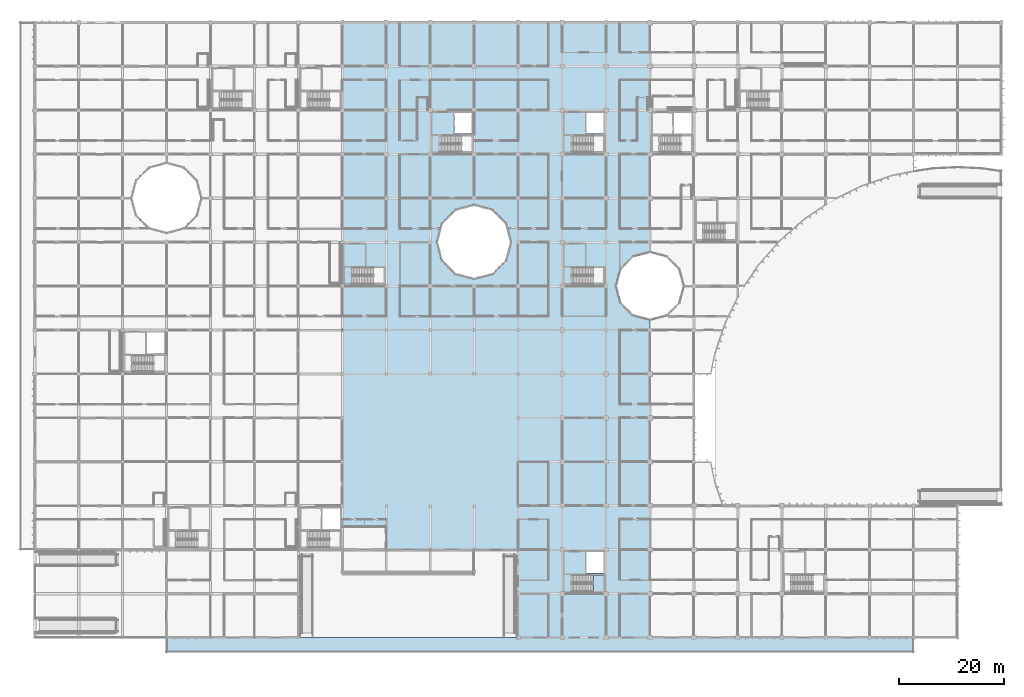
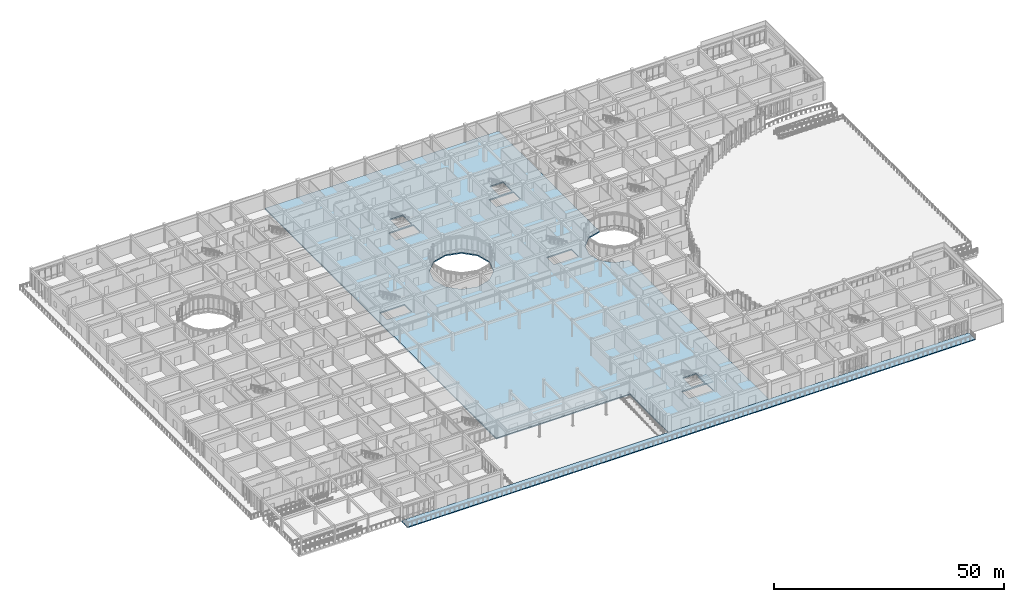
# One storey, part 67 of 138: 3 slabs, 1 element without a shape of its own.
"""IFC4 building model written with IfcOpenShell, lengths in metres."""

from ifc_helpers import new_model, si_unit, direction, frame, origin, place, context, subcontext, project, spatial, polyline, outline, extrude, material, layer, layer_set, type_object, element, aggregate, save


model = new_model("IFC4")

# Units and contexts
model_context = context("Model", 3, precision=1e-05, world=origin(), true_north=direction((0.0, 1.0)))
body_context = subcontext(model_context, "Body", "Model", "MODEL_VIEW")
ifc_project = project(units=[si_unit("LENGTHUNIT", "METRE"), si_unit("AREAUNIT", "SQUARE_METRE"), si_unit("VOLUMEUNIT", "CUBIC_METRE"), si_unit("PLANEANGLEUNIT", "RADIAN"), si_unit("MASSUNIT", "GRAM", prefix="KILO")], contexts=[model_context])

# Site, building, storey
site_placement = place(None, origin())
site = spatial("IfcSite", under=ifc_project, at=site_placement, CompositionType="ELEMENT")
building_placement = place(site_placement, origin())
building = spatial("IfcBuilding", under=site, at=building_placement, Name="Bramfleet General Hospital", CompositionType="ELEMENT")
storey_placement = place(building_placement, origin())
storey = spatial("IfcBuildingStorey", under=building, at=storey_placement, Name="L00", CompositionType="ELEMENT", Elevation=0.0)

# Slab
ifc_material = material(Name="Concrete C35/45", Category="concrete")
ifc_layer_1 = layer(ifc_material, 0.320068359375, Name="SL-FLR-320")
ifc_layer_set_1 = layer_set([ifc_layer_1], Name="Concrete C35/45")
slab_type_1 = type_object("IfcSlabType", Name="SL-FLR-320", PredefinedType="FLOOR", material=ifc_layer_set_1)
slab_1_placement = place(storey_placement, frame((0.0, 0.0, -0.320068359375)))
element("IfcSlab", 1, at=slab_1_placement, inside=storey, type_object=slab_type_1, Name="L00 Structural Floor Slab (CENTRE)", PredefinedType="FLOOR", context=body_context, shape_type="SweptSolid", body=[
    extrude(outline(polyline([(67.199951171875, 117.60009765625), (75.60009765625, 117.60009765625), (84.0, 117.60009765625), (92.39990234375, 117.60009765625), (100.800048828125, 117.60009765625), (109.199951171875, 117.60009765625), (117.60009765625, 117.60009765625), (117.60009765625, 73.60009765625), (114.39990234375, 72.74267578125), (112.057373046875, 70.39990234375), (111.199951171875, 67.199951171875), (112.057373046875, 64.0), (114.39990234375, 61.657470703125), (117.60009765625, 60.800048828125), (117.60009765625, 0.0), (109.199951171875, 0.0), (100.800048828125, 0.0), (92.39990234375, 0.0), (92.39990234375, 8.39990234375), (92.39990234375, 16.800048828125), (84.0, 16.800048828125), (75.60009765625, 16.800048828125), (67.199951171875, 16.800048828125), (58.800048828125, 16.800048828125), (58.800048828125, 117.60009765625), (67.199951171875, 117.60009765625)]), holes=[polyline([(77.937744140625, 72.10009765625), (80.5, 69.537841796875), (84.0, 68.60009765625), (87.5, 69.537841796875), (90.062255859375, 72.10009765625), (91.0, 75.60009765625), (90.062255859375, 79.10009765625), (87.5, 81.662109375), (84.0, 82.60009765625), (80.5, 81.662109375), (77.937744140625, 79.10009765625), (77.0, 75.60009765625), (77.937744140625, 72.10009765625)]), polyline([(102.639892578125, 8.820068359375), (108.860107421875, 8.820068359375), (108.860107421875, 11.97998046875), (102.639892578125, 11.97998046875), (102.639892578125, 8.820068359375)]), polyline([(105.419921875, 12.39990234375), (108.75, 12.39990234375), (108.75, 16.35009765625), (105.419921875, 16.35009765625), (105.419921875, 12.39990234375)]), polyline([(102.639892578125, 92.820068359375), (108.860107421875, 92.820068359375), (108.860107421875, 95.97998046875), (102.639892578125, 95.97998046875), (102.639892578125, 92.820068359375)]), polyline([(105.419921875, 96.39990234375), (108.75, 96.39990234375), (108.75, 100.35009765625), (105.419921875, 100.35009765625), (105.419921875, 96.39990234375)]), polyline([(77.43994140625, 92.820068359375), (83.659912109375, 92.820068359375), (83.659912109375, 95.97998046875), (77.43994140625, 95.97998046875), (77.43994140625, 92.820068359375)]), polyline([(80.219970703125, 96.39990234375), (83.550048828125, 96.39990234375), (83.550048828125, 100.35009765625), (80.219970703125, 100.35009765625), (80.219970703125, 96.39990234375)]), polyline([(102.639892578125, 67.6201171875), (108.860107421875, 67.6201171875), (108.860107421875, 70.780029296875), (102.639892578125, 70.780029296875), (102.639892578125, 67.6201171875)]), polyline([(60.639892578125, 67.6201171875), (66.860107421875, 67.6201171875), (66.860107421875, 70.780029296875), (60.639892578125, 70.780029296875), (60.639892578125, 67.6201171875)])]), origin(), (0.0, 0.0, 1.0), 0.320068359375),
])

# Stair, slab
stair_type = type_object("IfcStairType", Name="STR-T2", PredefinedType="HALF_TURN_STAIR", material=ifc_material)
stair_placement = place(storey_placement, origin())
stair = element("IfcStair", 2, at=stair_placement, inside=storey, type_object=stair_type, Name="L00 Core C3 (South Ward Wing) Protected Escape Stair", PredefinedType="HALF_TURN_STAIR")
ifc_layer_2 = layer(ifc_material, 0.199951171875, Name="SL-LND-200")
ifc_layer_set_2 = layer_set([ifc_layer_2], Name="Concrete C35/45")
slab_type_2 = type_object("IfcSlabType", Name="SL-LND-200", PredefinedType="LANDING", material=ifc_layer_set_2)
slab_2_placement = place(storey_placement, frame((0.0, 0.0, 2.199951171875)))
slab_2 = element("IfcSlab", 3, at=slab_2_placement, type_object=slab_type_2, Name="ST-C3 landing 1", PredefinedType="LANDING", context=body_context, shape_type="SweptSolid", body=[
    extrude(outline(polyline([(106.77001953125, 8.820068359375), (108.860107421875, 8.820068359375), (108.860107421875, 11.97998046875), (106.77001953125, 11.97998046875), (106.77001953125, 8.820068359375)])), origin(), (0.0, 0.0, 1.0), 0.199951171875),
])
aggregate(stair, [slab_2])

# Slab
ifc_layer_3 = layer(ifc_material, 0.25, Name="SL-TER-250")
ifc_layer_set_3 = layer_set([ifc_layer_3], Name="Concrete C35/45")
slab_type_3 = type_object("IfcSlabType", Name="SL-TER-250", PredefinedType="FLOOR", material=ifc_layer_set_3)
slab_3_placement = place(storey_placement, frame((0.0, 0.0, -0.25)))
element("IfcSlab", 4, at=slab_3_placement, inside=storey, type_object=slab_type_3, Name="L00 South Grounded Escape Plinth Walkway", PredefinedType="FLOOR", context=body_context, shape_type="SweptSolid", body=[
    extrude(outline(polyline([(25.199951171875, -2.800048828125), (168.0, -2.800048828125), (168.0, 0.0), (25.199951171875, 0.0), (25.199951171875, -2.800048828125)])), origin(), (0.0, 0.0, 1.0), 0.25),
])

save(model, "model.ifc")
